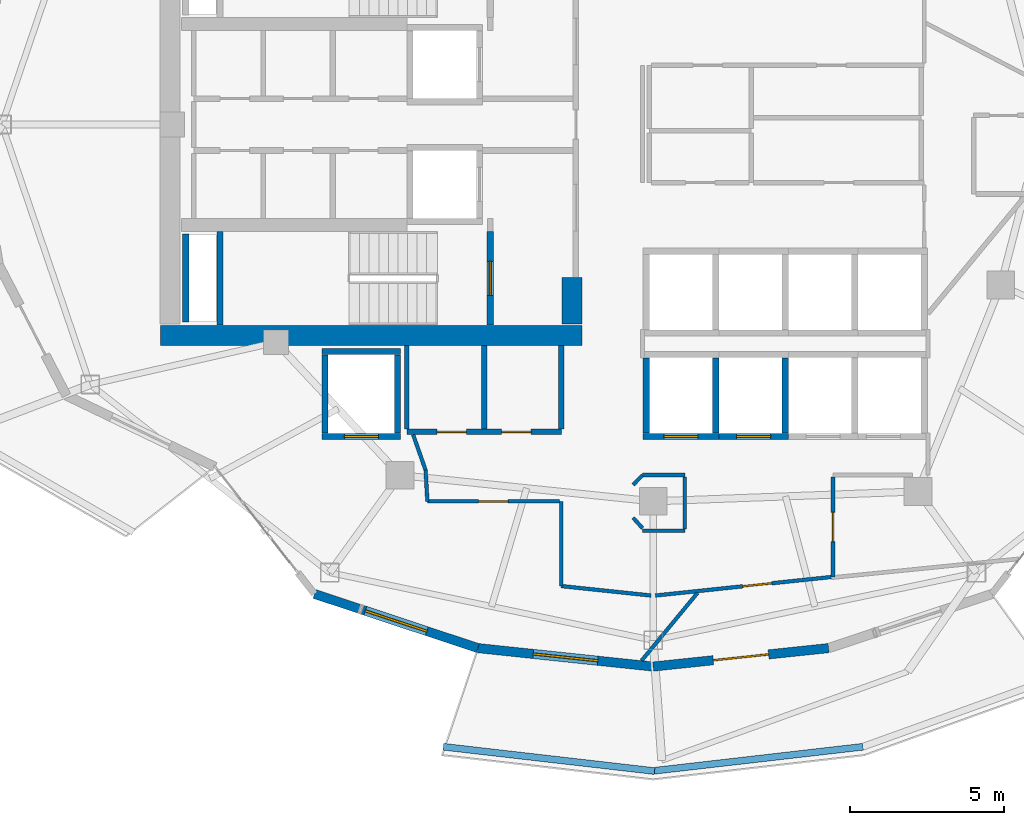
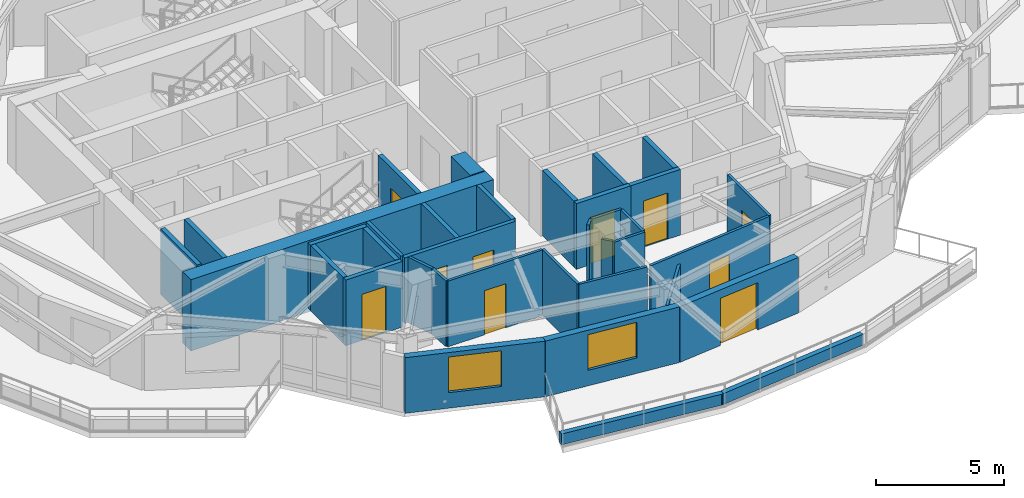
# One storey, part 8 of 19: 36 walls, 10 doors, 2 windows, 12 openings.
"""IFC4 building model written with IfcOpenShell, lengths in metres."""

from ifc_helpers import new_model, si_unit, direction, frame, frame_2d, origin, place, context, subcontext, project, spatial, rectangle, extrude, material, layer, layer_set, type_object, element, fill, save


model = new_model("IFC4")

# Units and contexts
model_context = context("Model", 3, precision=1e-05, world=origin(), true_north=direction((0.0, 1.0)))
body_context = subcontext(model_context, "Body", "Model", "MODEL_VIEW")
ifc_project = project(units=[si_unit("LENGTHUNIT", "METRE"), si_unit("AREAUNIT", "SQUARE_METRE"), si_unit("VOLUMEUNIT", "CUBIC_METRE"), si_unit("PLANEANGLEUNIT", "RADIAN"), si_unit("MASSUNIT", "GRAM", prefix="KILO")], contexts=[model_context])

# Site, building, storey
site_placement = place(None, origin())
site = spatial("IfcSite", under=ifc_project, at=site_placement, CompositionType="ELEMENT")
building_placement = place(site_placement, origin())
building = spatial("IfcBuilding", under=site, at=building_placement, Name="Kolvaren Gate Tower and Convention Centre", CompositionType="ELEMENT")
storey_placement = place(building_placement, frame((0.0, 0.0, 169.89990234375)))
storey = spatial("IfcBuildingStorey", under=building, at=storey_placement, Name="L44", CompositionType="ELEMENT", Elevation=169.89990234375)

# Wall, openings, doors
ifc_material_1 = material(Name="Autoclaved Aerated Masonry Blockwork Class 4 (4.0 MPa)", Category="masonry")
ifc_layer_1 = layer(ifc_material_1, 0.179931640625)
ifc_layer_set_1 = layer_set([ifc_layer_1], Name="Autoclaved Aerated Masonry Blockwork Class 4 (4.0 MPa)")
wall_type_1 = type_object("IfcWallType", Name="ARCH-WL-COMP-180", PredefinedType="SOLIDWALL", material=ifc_layer_set_1)
wall_1_placement = place(storey_placement, frame((22.14990234375, 17.050048828125, 0.0), z_axis=(0.0, 0.0, 1.0), x_axis=(1.0, 0.0, 0.0)))
wall_1 = element("IfcWall", 1, at=wall_1_placement, inside=storey, type_object=wall_type_1, Name="Interior Partition WL-L44-INT-011", PredefinedType="SOLIDWALL", context=body_context, shape_type="SweptSolid", body=[
    extrude(rectangle(XDim=5.0, YDim=0.179931640625, at=frame_2d((2.5, 0.0))), origin(), (0.0, 0.0, 1.0), 3.130126953125),
])
opening_1_placement = place(wall_1_placement, frame((0.97998046875, 0.0, 0.0)))
opening_1 = element("IfcOpeningElement", 2, at=opening_1_placement, cuts=wall_1, Name="Opening DR-01", PredefinedType="OPENING", context=body_context, shape_type="SweptSolid", body=[
    extrude(rectangle(XDim=0.949951171875, YDim=2.10009765625, at=frame_2d((0.47509765625, 1.050048828125))), frame((0.0, 0.099853515625, 0.0), z_axis=(0.0, -1.0, 0.0), x_axis=(1.0, 0.0, 0.0)), (0.0, 0.0, 1.0), 0.199951171875),
])
opening_2_placement = place(wall_1_placement, frame((3.070068359375, 0.0, 0.0)))
opening_2 = element("IfcOpeningElement", 3, at=opening_2_placement, cuts=wall_1, Name="Opening DR-01", PredefinedType="OPENING", context=body_context, shape_type="SweptSolid", body=[
    extrude(rectangle(XDim=0.949951171875, YDim=2.10009765625, at=frame_2d((0.47509765625, 1.050048828125))), frame((0.0, 0.099853515625, 0.0), z_axis=(0.0, -1.0, 0.0), x_axis=(1.0, 0.0, 0.0)), (0.0, 0.0, 1.0), 0.199951171875),
])
ifc_material_2 = material(Name="Painted Architectural Steelwork ASTM A500 Grade C 345 MPa", Category="steel")
door_type_1 = type_object("IfcDoorType", Name="ARCH-DR-RISER-950", OperationType="SINGLE_SWING_RIGHT", PredefinedType="DOOR", material=ifc_material_2)
door_1_placement = place(opening_1_placement, origin())
door_1 = element("IfcDoor", 4, at=door_1_placement, inside=storey, type_object=door_type_1, Name="West Valet Store Door", OperationType="SINGLE_SWING_RIGHT", OverallHeight=2.10009765625, OverallWidth=0.949951171875, PredefinedType="DOOR", context=body_context, shape_type="SweptSolid", body=[
    extrude(rectangle(XDim=0.949951171875, YDim=2.10009765625, at=frame_2d((0.47509765625, 1.050048828125))), frame((0.0, 0.02490234375, 0.0), z_axis=(0.0, -1.0, 0.0), x_axis=(1.0, 0.0, 0.0)), (0.0, 0.0, 1.0), 0.050048828125),
])
fill(opening_1, door_1)
door_2_placement = place(opening_2_placement, origin())
door_2 = element("IfcDoor", 5, at=door_2_placement, inside=storey, type_object=door_type_1, Name="Metering Switch Room Door", OperationType="SINGLE_SWING_LEFT", OverallHeight=2.10009765625, OverallWidth=0.949951171875, PredefinedType="DOOR", context=body_context, shape_type="SweptSolid", body=[
    extrude(rectangle(XDim=0.949951171875, YDim=2.10009765625, at=frame_2d((0.47509765625, 1.050048828125))), frame((0.0, 0.02490234375, 0.0), z_axis=(0.0, -1.0, 0.0), x_axis=(1.0, 0.0, 0.0)), (0.0, 0.0, 1.0), 0.050048828125),
])
fill(opening_2, door_2)

# Walls
for number, where, z_axis, x_axis, name in (
    (6, (24.64990234375, 17.14208984375, 0.0), (0.0, 0.0, 1.0), (0.0, 1.0, 0.0), "Interior Partition WL-L44-INT-013"),
    (7, (27.14990234375, 17.14208984375, 0.0), (0.0, 0.0, 1.0), (0.0, 1.0, 0.0), "Interior Partition WL-L44-INT-015"),
):
    element("IfcWall", number, at=place(storey_placement, frame(where, z_axis=z_axis, x_axis=x_axis)), inside=storey, type_object=wall_type_1, Name=name, PredefinedType="SOLIDWALL", context=body_context, shape_type="SweptSolid", body=[
        extrude(rectangle(XDim=2.705810546875, YDim=0.179931640625, at=frame_2d((1.35302734375, 0.0))), origin(), (0.0, 0.0, 1.0), 3.130126953125),
    ])
ifc_material_3 = material(Name="Fire-Rated Acoustic Gypsum Stud Partition", Category="gypsum")
ifc_layer_2 = layer(ifc_material_3, 0.1201171875)
ifc_layer_set_2 = layer_set([ifc_layer_2], Name="Fire-Rated Acoustic Gypsum Stud Partition")
wall_type_2 = type_object("IfcWallType", Name="ARCH-WL-PART-120", PredefinedType="PARTITIONING", material=ifc_layer_set_2)
wall_2_placement = place(storey_placement, frame((27.14990234375, 12.055908203125, 0.0), z_axis=(0.0, 0.0, 1.0), x_axis=(0.0, 1.0, 0.0)))
element("IfcWall", 8, at=wall_2_placement, inside=storey, type_object=wall_type_2, Name="Interior Partition WL-L44-INT-014", PredefinedType="PARTITIONING", context=body_context, shape_type="SweptSolid", body=[
    extrude(rectangle(XDim=2.744140625, YDim=0.1201171875, at=frame_2d((1.3720703125, 0.0))), origin(), (0.0, 0.0, 1.0), 3.130126953125),
])
wall_3_placement = place(storey_placement, frame((29.780029296875, 15.64990234375, 0.0), z_axis=(0.0, 0.0, 1.0), x_axis=(1.0, 0.0, 0.0)))
element("IfcWall", 9, at=wall_3_placement, inside=storey, type_object=wall_type_2, Name="Interior Partition WL-L44-INT-029", PredefinedType="PARTITIONING", context=body_context, shape_type="SweptSolid", body=[
    extrude(rectangle(XDim=1.369873046875, YDim=0.1201171875, at=frame_2d((0.68505859375, 0.0))), origin(), (0.0, 0.0, 1.0), 3.130126953125),
])

# Wall, opening, door
wall_4_placement = place(storey_placement, frame((35.949951171875, 12.345947265625, 0.0), z_axis=(0.0, 0.0, 1.0), x_axis=(0.0, 1.0, 0.0)))
wall_4 = element("IfcWall", 10, at=wall_4_placement, inside=storey, type_object=wall_type_2, Name="Interior Partition WL-L44-INT-031", PredefinedType="PARTITIONING", context=body_context, shape_type="SweptSolid", body=[
    extrude(rectangle(XDim=3.241943359375, YDim=0.1201171875, at=frame_2d((1.62109375, 0.0))), origin(), (0.0, 0.0, 1.0), 3.130126953125),
])
opening_3_placement = place(wall_4_placement, frame((1.14599609375, 0.0, 0.0)))
opening_3 = element("IfcOpeningElement", 11, at=opening_3_placement, cuts=wall_4, Name="Opening DR-01", PredefinedType="OPENING", context=body_context, shape_type="SweptSolid", body=[
    extrude(rectangle(XDim=0.949951171875, YDim=2.10009765625, at=frame_2d((0.47509765625, 1.050048828125))), frame((0.0, 0.070068359375, 0.0), z_axis=(0.0, -1.0, 0.0), x_axis=(1.0, 0.0, 0.0)), (0.0, 0.0, 1.0), 0.14013671875),
])
door_3_placement = place(opening_3_placement, origin())
door_3 = element("IfcDoor", 12, at=door_3_placement, inside=storey, type_object=door_type_1, Name="Hotel Executive Business Office Door", OperationType="SINGLE_SWING_LEFT", OverallHeight=2.10009765625, OverallWidth=0.949951171875, PredefinedType="DOOR", context=body_context, shape_type="SweptSolid", body=[
    extrude(rectangle(XDim=0.949951171875, YDim=2.10009765625, at=frame_2d((0.47509765625, 1.050048828125))), frame((0.0, 0.02490234375, 0.0), z_axis=(0.0, -1.0, 0.0), x_axis=(1.0, 0.0, 0.0)), (0.0, 0.0, 1.0), 0.050048828125),
])
fill(opening_3, door_3)

wall_5_placement = place(storey_placement, frame((30.195068359375, 11.75, 0.0), z_axis=(0.0, 0.0, 1.0), x_axis=(0.994498907508, 0.104746947287, 0.0)))
wall_5 = element("IfcWall", 13, at=wall_5_placement, inside=storey, type_object=wall_type_2, Name="Interior Partition WL-L44-INT-032", PredefinedType="PARTITIONING", context=body_context, shape_type="SweptSolid", body=[
    extrude(rectangle(XDim=5.724365234375, YDim=0.1201171875, at=frame_2d((2.8623046875, 0.0))), origin(), (0.0, 0.0, 1.0), 3.130126953125),
])
opening_4_placement = place(wall_5_placement, frame((2.843994140625, 0.0, 0.0)))
opening_4 = element("IfcOpeningElement", 14, at=opening_4_placement, cuts=wall_5, Name="Opening DR-01", PredefinedType="OPENING", context=body_context, shape_type="SweptSolid", body=[
    extrude(rectangle(XDim=0.949951171875, YDim=2.10009765625, at=frame_2d((0.47509765625, 1.050048828125))), frame((0.0, 0.070068359375, 0.0), z_axis=(0.0, -1.0, 0.0), x_axis=(1.0, 0.0, 0.0)), (0.0, 0.0, 1.0), 0.14013671875),
])
door_4_placement = place(opening_4_placement, origin())
door_4 = element("IfcDoor", 15, at=door_4_placement, inside=storey, type_object=door_type_1, Name="Hotel Executive Business Office Door", OperationType="SINGLE_SWING_RIGHT", OverallHeight=2.10009765625, OverallWidth=0.949951171875, PredefinedType="DOOR", context=body_context, shape_type="SweptSolid", body=[
    extrude(rectangle(XDim=0.949951171875, YDim=2.10009765625, at=frame_2d((0.47509765625, 1.050048828125))), frame((0.0, 0.02490234375, 0.0), z_axis=(0.0, -1.0, 0.0), x_axis=(1.0, 0.0, 0.0)), (0.0, 0.0, 1.0), 0.050048828125),
])
fill(opening_4, door_4)

# Wall
wall_6_placement = place(storey_placement, frame((27.14990234375, 12.055908203125, 0.0), z_axis=(0.0, 0.0, 1.0), x_axis=(0.994501330468, -0.104723940422, 0.0)))
element("IfcWall", 16, at=wall_6_placement, inside=storey, type_object=wall_type_2, Name="Interior Partition WL-L44-INT-033", PredefinedType="PARTITIONING", context=body_context, shape_type="SweptSolid", body=[
    extrude(rectangle(XDim=2.921142578125, YDim=0.1201171875, at=frame_2d((1.46044921875, 0.0))), origin(), (0.0, 0.0, 1.0), 3.130126953125),
])

# Wall, opening, door
wall_7_placement = place(storey_placement, frame((22.81396484375, 14.800048828125, 0.0), z_axis=(0.0, 0.0, 1.0), x_axis=(1.0, 0.0, 0.0)))
wall_7 = element("IfcWall", 17, at=wall_7_placement, inside=storey, type_object=wall_type_2, Name="Interior Partition WL-L44-INT-034", PredefinedType="PARTITIONING", context=body_context, shape_type="SweptSolid", body=[
    extrude(rectangle(XDim=4.27392578125, YDim=0.1201171875, at=frame_2d((2.136962890625, 0.0))), origin(), (0.0, 0.0, 1.0), 3.130126953125),
])
opening_5_placement = place(wall_7_placement, frame((1.662109375, 0.0, 0.0)))
opening_5 = element("IfcOpeningElement", 18, at=opening_5_placement, cuts=wall_7, Name="Opening DR-01", PredefinedType="OPENING", context=body_context, shape_type="SweptSolid", body=[
    extrude(rectangle(XDim=0.949951171875, YDim=2.10009765625, at=frame_2d((0.47509765625, 1.050048828125))), frame((0.0, 0.070068359375, 0.0), z_axis=(0.0, -1.0, 0.0), x_axis=(1.0, 0.0, 0.0)), (0.0, 0.0, 1.0), 0.14013671875),
])
door_5_placement = place(opening_5_placement, origin())
door_5 = element("IfcDoor", 19, at=door_5_placement, inside=storey, type_object=door_type_1, Name="Luxury Retail Boutique Door", OperationType="SINGLE_SWING_LEFT", OverallHeight=2.10009765625, OverallWidth=0.949951171875, PredefinedType="DOOR", context=body_context, shape_type="SweptSolid", body=[
    extrude(rectangle(XDim=0.949951171875, YDim=2.10009765625, at=frame_2d((0.47509765625, 1.050048828125))), frame((0.0, 0.02490234375, 0.0), z_axis=(0.0, -1.0, 0.0), x_axis=(1.0, 0.0, 0.0)), (0.0, 0.0, 1.0), 0.050048828125),
])
fill(opening_5, door_5)

# Walls
wall_8_placement = place(storey_placement, frame((22.756103515625, 15.81103515625, 0.0), z_axis=(0.0, 0.0, 1.0), x_axis=(0.057139047697, -0.998366230012, 0.0)))
element("IfcWall", 20, at=wall_8_placement, inside=storey, type_object=wall_type_2, Name="Interior Partition WL-L44-INT-035", PredefinedType="PARTITIONING", context=body_context, shape_type="SweptSolid", body=[
    extrude(rectangle(XDim=1.0126953125, YDim=0.1201171875, at=frame_2d((0.50634765625, 0.0))), origin(), (0.0, 0.0, 1.0), 3.130126953125),
])
wall_9_placement = place(storey_placement, frame((22.353271484375, 16.9580078125, 0.0), z_axis=(0.0, 0.0, 1.0), x_axis=(0.331370038458, -0.943500873138, 0.0)))
element("IfcWall", 21, at=wall_9_placement, inside=storey, type_object=wall_type_2, Name="Interior Partition WL-L44-INT-036", PredefinedType="PARTITIONING", context=body_context, shape_type="SweptSolid", body=[
    extrude(rectangle(XDim=1.215576171875, YDim=0.1201171875, at=frame_2d((0.60791015625, 0.0))), origin(), (0.0, 0.0, 1.0), 3.130126953125),
])
wall_10_placement = place(storey_placement, frame((29.47607421875, 15.3330078125, 0.0), z_axis=(0.0, 0.0, 1.0), x_axis=(0.692219273951, 0.721687243043, 0.0)))
element("IfcWall", 22, at=wall_10_placement, inside=storey, type_object=wall_type_2, Name="Interior Partition WL-L44-INT-050", PredefinedType="PARTITIONING", context=body_context, shape_type="SweptSolid", body=[
    extrude(rectangle(XDim=0.439208984375, YDim=0.1201171875, at=frame_2d((0.2197265625, 0.0))), origin(), (0.0, 0.0, 1.0), 3.130126953125),
])
wall_11_placement = place(storey_placement, frame((29.47607421875, 14.26708984375, 0.0), z_axis=(0.0, 0.0, 1.0), x_axis=(0.670659392016, -0.741765448037, 0.0)))
element("IfcWall", 23, at=wall_11_placement, inside=storey, type_object=wall_type_2, Name="Interior Partition WL-L44-INT-051", PredefinedType="PARTITIONING", context=body_context, shape_type="SweptSolid", body=[
    extrude(rectangle(XDim=0.453125, YDim=0.1201171875, at=frame_2d((0.2265625, 0.0))), origin(), (0.0, 0.0, 1.0), 3.130126953125),
])
wall_12_placement = place(storey_placement, frame((29.780029296875, 13.85009765625, 0.0), z_axis=(0.0, 0.0, 1.0), x_axis=(1.0, 0.0, 0.0)))
element("IfcWall", 24, at=wall_12_placement, inside=storey, type_object=wall_type_2, Name="Interior Partition WL-L44-INT-052", PredefinedType="PARTITIONING", context=body_context, shape_type="SweptSolid", body=[
    extrude(rectangle(XDim=1.369873046875, YDim=0.1201171875, at=frame_2d((0.68505859375, 0.0))), origin(), (0.0, 0.0, 1.0), 3.130126953125),
])
wall_13_placement = place(storey_placement, frame((31.14990234375, 13.912109375, 0.0), z_axis=(0.0, 0.0, 1.0), x_axis=(0.0, 1.0, 0.0)))
element("IfcWall", 25, at=wall_13_placement, inside=storey, type_object=wall_type_2, Name="Interior Partition WL-L44-INT-053", PredefinedType="PARTITIONING", context=body_context, shape_type="SweptSolid", body=[
    extrude(rectangle(XDim=1.67578125, YDim=0.1201171875, at=frame_2d((0.837890625, 0.0))), origin(), (0.0, 0.0, 1.0), 3.130126953125),
])
wall_14_placement = place(storey_placement, frame((29.749755859375, 9.642333984375, 0.0), z_axis=(0.0, 0.0, 1.0), x_axis=(0.636683591353, 0.771125154888, 0.0)))
element("IfcWall", 26, at=wall_14_placement, inside=storey, type_object=wall_type_2, Name="Interior Partition WL-L44-INT-056", PredefinedType="PARTITIONING", context=body_context, shape_type="SweptSolid", body=[
    extrude(rectangle(XDim=2.83837890625, YDim=0.1201171875, at=frame_2d((1.419189453125, 0.0))), origin(), (0.0, 0.0, 1.0), 2.653076171875),
])
ifc_material_4 = material(Name="Piedmont Cream Honed Limestone Cladding", Category="masonry")
ifc_layer_3 = layer(ifc_material_4, 0.219970703125)
ifc_layer_set_3 = layer_set([ifc_layer_3], Name="Piedmont Cream Honed Limestone Cladding")
wall_type_3 = type_object("IfcWallType", Name="ARCH-WL-PLANTER-220", PredefinedType="PARAPET", material=ifc_layer_set_3)
for number, where, z_axis, x_axis, name in (
    (27, (23.330078125, 6.853759765625, 0.0), (0.0, 0.0, 1.0), (0.993440576506, -0.114349555972, 0.0), "Vertical-Forest Balcony Stone Planter Kerb PK-L44-3.1"),
    (28, (30.07958984375, 6.06640625, 0.0), (0.0, 0.0, 1.0), (0.993440576506, 0.114349555972, 0.0), "Vertical-Forest Balcony Stone Planter Kerb PK-L44-3.2"),
):
    element("IfcWall", number, at=place(storey_placement, frame(where, z_axis=z_axis, x_axis=x_axis)), inside=storey, type_object=wall_type_3, Name=name, PredefinedType="PARAPET", context=body_context, shape_type="SweptSolid", body=[
        extrude(rectangle(XDim=6.885498046875, YDim=0.219970703125, at=frame_2d((3.44287109375, 0.0))), origin(), (0.0, 0.0, 1.0), 0.52001953125),
    ])
ifc_layer_4 = layer(ifc_material_1, 0.199951171875)
ifc_layer_set_4 = layer_set([ifc_layer_4], Name="Autoclaved Aerated Masonry Blockwork Class 4 (4.0 MPa)")
wall_type_4 = type_object("IfcWallType", Name="ARCH-WL-SHAFT-200", PredefinedType="SOLIDWALL", material=ifc_layer_set_4)
wall_15_placement = place(storey_placement, frame((19.39990234375, 19.64990234375, 0.0), z_axis=(0.0, 0.0, 1.0), x_axis=(1.0, 0.0, 0.0)))
element("IfcWall", 29, at=wall_15_placement, inside=storey, type_object=wall_type_4, Name="Elevator SV-01 L44 Fire Shaft Wall N", PredefinedType="SOLIDWALL", context=body_context, shape_type="SweptSolid", body=[
    extrude(rectangle(XDim=2.550048828125, YDim=0.199951171875, at=frame_2d((1.27490234375, 0.0))), origin(), (0.0, 0.0, 1.0), 3.130126953125),
])

# Wall, opening, door
wall_16_placement = place(storey_placement, frame((19.39990234375, 16.89990234375, 0.0), z_axis=(0.0, 0.0, 1.0), x_axis=(1.0, 0.0, 0.0)))
wall_16 = element("IfcWall", 30, at=wall_16_placement, inside=storey, type_object=wall_type_4, Name="Elevator SV-01 L44 Fire Shaft Wall S", PredefinedType="SOLIDWALL", context=body_context, shape_type="SweptSolid", body=[
    extrude(rectangle(XDim=2.550048828125, YDim=0.199951171875, at=frame_2d((1.27490234375, 0.0))), origin(), (0.0, 0.0, 1.0), 3.130126953125),
])
opening_6_placement = place(wall_16_placement, frame((0.72509765625, 0.0, 0.0)))
opening_6 = element("IfcOpeningElement", 31, at=opening_6_placement, cuts=wall_16, Name="Opening LD", PredefinedType="OPENING", context=body_context, shape_type="SweptSolid", body=[
    extrude(rectangle(XDim=1.10009765625, YDim=2.199951171875, at=frame_2d((0.550048828125, 1.10009765625))), frame((0.0, 0.10986328125, 0.0), z_axis=(0.0, -1.0, 0.0), x_axis=(1.0, 0.0, 0.0)), (0.0, 0.0, 1.0), 0.219970703125),
])
ifc_material_5 = material(Name="Brushed Stainless Steel Grade 316L", Category="steel")
door_type_2 = type_object("IfcDoorType", Name="ARCH-DR-LIFT-1100", OperationType="SLIDING_TO_LEFT", PredefinedType="DOOR", material=ifc_material_5)
door_6_placement = place(opening_6_placement, origin())
door_6 = element("IfcDoor", 32, at=door_6_placement, inside=storey, type_object=door_type_2, Name="Elevator SV-01 L44 Sliding Landing Door", OperationType="SLIDING_TO_LEFT", OverallHeight=2.199951171875, OverallWidth=1.10009765625, PredefinedType="DOOR", context=body_context, shape_type="SweptSolid", body=[
    extrude(rectangle(XDim=1.10009765625, YDim=2.199951171875, at=frame_2d((0.550048828125, 1.10009765625))), frame((0.0, 0.02490234375, 0.0), z_axis=(0.0, -1.0, 0.0), x_axis=(1.0, 0.0, 0.0)), (0.0, 0.0, 1.0), 0.050048828125),
])
fill(opening_6, door_6)

# Walls
for number, where, z_axis, x_axis, name in (
    (33, (19.5, 17.010009765625, 0.0), (0.0, 0.0, 1.0), (0.0, 1.0, 0.0), "Elevator SV-01 L44 Fire Shaft Wall W"),
    (34, (21.85009765625, 17.010009765625, 0.0), (0.0, 0.0, 1.0), (0.0, 1.0, 0.0), "Elevator SV-01 L44 Fire Shaft Wall E"),
):
    element("IfcWall", number, at=place(storey_placement, frame(where, z_axis=z_axis, x_axis=x_axis)), inside=storey, type_object=wall_type_4, Name=name, PredefinedType="SOLIDWALL", context=body_context, shape_type="SweptSolid", body=[
        extrude(rectangle(XDim=2.530029296875, YDim=0.199951171875, at=frame_2d((1.26513671875, 0.0))), origin(), (0.0, 0.0, 1.0), 3.130126953125),
    ])

# Wall, opening, door
wall_17_placement = place(storey_placement, frame((29.800048828125, 16.89990234375, 0.0), z_axis=(0.0, 0.0, 1.0), x_axis=(1.0, 0.0, 0.0)))
wall_17 = element("IfcWall", 35, at=wall_17_placement, inside=storey, type_object=wall_type_4, Name="Elevator PL-05 L44 Fire Shaft Wall S", PredefinedType="SOLIDWALL", context=body_context, shape_type="SweptSolid", body=[
    extrude(rectangle(XDim=2.449951171875, YDim=0.199951171875, at=frame_2d((1.22509765625, 0.0))), origin(), (0.0, 0.0, 1.0), 3.130126953125),
])
opening_7_placement = place(wall_17_placement, frame((0.675048828125, 0.0, 0.0)))
opening_7 = element("IfcOpeningElement", 36, at=opening_7_placement, cuts=wall_17, Name="Opening LD", PredefinedType="OPENING", context=body_context, shape_type="SweptSolid", body=[
    extrude(rectangle(XDim=1.10009765625, YDim=2.199951171875, at=frame_2d((0.550048828125, 1.10009765625))), frame((0.0, 0.10986328125, 0.0), z_axis=(0.0, -1.0, 0.0), x_axis=(1.0, 0.0, 0.0)), (0.0, 0.0, 1.0), 0.219970703125),
])
door_7_placement = place(opening_7_placement, origin())
door_7 = element("IfcDoor", 37, at=door_7_placement, inside=storey, type_object=door_type_2, Name="Elevator PL-05 L44 Sliding Landing Door", OperationType="SLIDING_TO_LEFT", OverallHeight=2.199951171875, OverallWidth=1.10009765625, PredefinedType="DOOR", context=body_context, shape_type="SweptSolid", body=[
    extrude(rectangle(XDim=1.10009765625, YDim=2.199951171875, at=frame_2d((0.550048828125, 1.10009765625))), frame((0.0, 0.02490234375, 0.0), z_axis=(0.0, -1.0, 0.0), x_axis=(1.0, 0.0, 0.0)), (0.0, 0.0, 1.0), 0.050048828125),
])
fill(opening_7, door_7)

# Walls
for number, where, z_axis, x_axis, name in (
    (38, (29.89990234375, 17.010009765625, 0.0), (0.0, 0.0, 1.0), (0.0, 1.0, 0.0), "Elevator PL-05 L44 Fire Shaft Wall W"),
    (39, (32.14990234375, 17.010009765625, 0.0), (0.0, 0.0, 1.0), (0.0, 1.0, 0.0), "Elevator PL-05 L44 Fire Shaft Wall E"),
):
    element("IfcWall", number, at=place(storey_placement, frame(where, z_axis=z_axis, x_axis=x_axis)), inside=storey, type_object=wall_type_4, Name=name, PredefinedType="SOLIDWALL", context=body_context, shape_type="SweptSolid", body=[
        extrude(rectangle(XDim=2.429931640625, YDim=0.199951171875, at=frame_2d((1.21484375, 0.0))), origin(), (0.0, 0.0, 1.0), 3.130126953125),
    ])

# Wall, opening, door
wall_18_placement = place(storey_placement, frame((32.25, 16.89990234375, 0.0), z_axis=(0.0, 0.0, 1.0), x_axis=(1.0, 0.0, 0.0)))
wall_18 = element("IfcWall", 40, at=wall_18_placement, inside=storey, type_object=wall_type_4, Name="Elevator PL-06 L44 Fire Shaft Wall S", PredefinedType="SOLIDWALL", context=body_context, shape_type="SweptSolid", body=[
    extrude(rectangle(XDim=2.25, YDim=0.199951171875, at=frame_2d((1.125, 0.0))), origin(), (0.0, 0.0, 1.0), 3.130126953125),
])
opening_8_placement = place(wall_18_placement, frame((0.574951171875, 0.0, 0.0)))
opening_8 = element("IfcOpeningElement", 41, at=opening_8_placement, cuts=wall_18, Name="Opening LD", PredefinedType="OPENING", context=body_context, shape_type="SweptSolid", body=[
    extrude(rectangle(XDim=1.10009765625, YDim=2.199951171875, at=frame_2d((0.550048828125, 1.10009765625))), frame((0.0, 0.10986328125, 0.0), z_axis=(0.0, -1.0, 0.0), x_axis=(1.0, 0.0, 0.0)), (0.0, 0.0, 1.0), 0.219970703125),
])
door_8_placement = place(opening_8_placement, origin())
door_8 = element("IfcDoor", 42, at=door_8_placement, inside=storey, type_object=door_type_2, Name="Elevator PL-06 L44 Sliding Landing Door", OperationType="SLIDING_TO_LEFT", OverallHeight=2.199951171875, OverallWidth=1.10009765625, PredefinedType="DOOR", context=body_context, shape_type="SweptSolid", body=[
    extrude(rectangle(XDim=1.10009765625, YDim=2.199951171875, at=frame_2d((0.550048828125, 1.10009765625))), frame((0.0, 0.02490234375, 0.0), z_axis=(0.0, -1.0, 0.0), x_axis=(1.0, 0.0, 0.0)), (0.0, 0.0, 1.0), 0.050048828125),
])
fill(opening_8, door_8)

# Walls
wall_19_placement = place(storey_placement, frame((34.39990234375, 17.010009765625, 0.0), z_axis=(0.0, 0.0, 1.0), x_axis=(0.0, 1.0, 0.0)))
element("IfcWall", 43, at=wall_19_placement, inside=storey, type_object=wall_type_4, Name="Elevator PL-06 L44 Fire Shaft Wall E", PredefinedType="SOLIDWALL", context=body_context, shape_type="SweptSolid", body=[
    extrude(rectangle(XDim=2.429931640625, YDim=0.199951171875, at=frame_2d((1.21484375, 0.0))), origin(), (0.0, 0.0, 1.0), 3.130126953125),
])
wall_20_placement = place(storey_placement, frame((14.989990234375, 20.60009765625, 0.0), z_axis=(0.0, 0.0, 1.0), x_axis=(0.0, 1.0, 0.0)))
element("IfcWall", 44, at=wall_20_placement, inside=storey, type_object=wall_type_4, Name="Vertical Shaft MPR L44 EI-120 Enclosure Wall W", PredefinedType="SOLIDWALL", context=body_context, shape_type="SweptSolid", body=[
    extrude(rectangle(XDim=2.849853515625, YDim=0.199951171875, at=frame_2d((1.4248046875, 0.0))), origin(), (0.0, 0.0, 1.0), 3.130126953125),
])

# Wall, opening, window
ifc_layer_5 = layer(ifc_material_4, 0.300048828125)
ifc_layer_set_5 = layer_set([ifc_layer_5], Name="Piedmont Cream Honed Limestone Cladding")
wall_type_5 = type_object("IfcWallType", Name="ARCH-WL-STONE-300", PredefinedType="SOLIDWALL", material=ifc_layer_set_5)
wall_21_placement = place(storey_placement, frame((19.15625, 11.80126953125, 0.0), z_axis=(0.0, 0.0, 1.0), x_axis=(0.949246811547, -0.314532177636, 0.0)))
wall_21 = element("IfcWall", 45, at=wall_21_placement, inside=storey, type_object=wall_type_5, Name="Tower L44 Honed Stone Spandrel Wall EW-16", PredefinedType="SOLIDWALL", context=body_context, shape_type="SweptSolid", body=[
    extrude(rectangle(XDim=5.573974609375, YDim=0.300048828125, at=frame_2d((2.787109375, 0.0))), origin(), (0.0, 0.0, 1.0), 2.653076171875),
])
opening_9_placement = place(wall_21_placement, frame((1.737060546875, 0.0, 0.739990234375)))
opening_9 = element("IfcOpeningElement", 46, at=opening_9_placement, cuts=wall_21, Name="Opening W-02", PredefinedType="OPENING", context=body_context, shape_type="SweptSolid", body=[
    extrude(rectangle(XDim=2.10009765625, YDim=1.699951171875, at=frame_2d((1.050048828125, 0.85009765625))), frame((0.0, 0.159912109375, 0.0), z_axis=(0.0, -1.0, 0.0), x_axis=(1.0, 0.0, 0.0)), (0.0, 0.0, 1.0), 0.320068359375),
])
ifc_material_6 = material(Name="Low-E Triple Insulated Glazing Unit 44 mm", Category="glass")
window_type = type_object("IfcWindowType", Name="ARCH-WN-HTL-2100", PartitioningType="SINGLE_PANEL", PredefinedType="WINDOW", material=ifc_material_6)
window_1_placement = place(opening_9_placement, origin())
window_1 = element("IfcWindow", 47, at=window_1_placement, inside=storey, type_object=window_type, Name="Tower L44 Punched Stone Facade Window W-16", OverallHeight=1.699951171875, OverallWidth=2.10009765625, PartitioningType="SINGLE_PANEL", PredefinedType="WINDOW", context=body_context, shape_type="SweptSolid", body=[
    extrude(rectangle(XDim=2.10009765625, YDim=1.699951171875, at=frame_2d((1.050048828125, 0.85009765625))), frame((0.0, 0.030029296875, 0.0), z_axis=(0.0, -1.0, 0.0), x_axis=(1.0, 0.0, 0.0)), (0.0, 0.0, 1.0), 0.06005859375),
])
fill(opening_9, window_1)

wall_22_placement = place(storey_placement, frame((24.447265625, 10.048095703125, 0.0), z_axis=(0.0, 0.0, 1.0), x_axis=(0.994496545245, -0.104769372887, 0.0)))
wall_22 = element("IfcWall", 48, at=wall_22_placement, inside=storey, type_object=wall_type_5, Name="Tower L44 Honed Stone Spandrel Wall EW-17", PredefinedType="SOLIDWALL", context=body_context, shape_type="SweptSolid", body=[
    extrude(rectangle(XDim=5.709228515625, YDim=0.300048828125, at=frame_2d((2.8544921875, 0.0))), origin(), (0.0, 0.0, 1.0), 2.653076171875),
])
opening_10_placement = place(wall_22_placement, frame((1.804931640625, 0.0, 0.739990234375)))
opening_10 = element("IfcOpeningElement", 49, at=opening_10_placement, cuts=wall_22, Name="Opening W-02", PredefinedType="OPENING", context=body_context, shape_type="SweptSolid", body=[
    extrude(rectangle(XDim=2.10009765625, YDim=1.699951171875, at=frame_2d((1.050048828125, 0.85009765625))), frame((0.0, 0.159912109375, 0.0), z_axis=(0.0, -1.0, 0.0), x_axis=(1.0, 0.0, 0.0)), (0.0, 0.0, 1.0), 0.320068359375),
])
window_2_placement = place(opening_10_placement, origin())
window_2 = element("IfcWindow", 50, at=window_2_placement, inside=storey, type_object=window_type, Name="Tower L44 Punched Stone Facade Window W-17", OverallHeight=1.699951171875, OverallWidth=2.10009765625, PartitioningType="SINGLE_PANEL", PredefinedType="WINDOW", context=body_context, shape_type="SweptSolid", body=[
    extrude(rectangle(XDim=2.10009765625, YDim=1.699951171875, at=frame_2d((1.050048828125, 0.85009765625))), frame((0.0, 0.030029296875, 0.0), z_axis=(0.0, -1.0, 0.0), x_axis=(1.0, 0.0, 0.0)), (0.0, 0.0, 1.0), 0.06005859375),
])
fill(opening_10, window_2)

# Wall, opening, door
wall_23_placement = place(storey_placement, frame((30.125, 9.449951171875, 0.0), z_axis=(0.0, 0.0, 1.0), x_axis=(0.994496545245, 0.104769372887, 0.0)))
wall_23 = element("IfcWall", 51, at=wall_23_placement, inside=storey, type_object=wall_type_5, Name="Tower L44 Honed Stone Spandrel Wall EW-18", PredefinedType="SOLIDWALL", context=body_context, shape_type="SweptSolid", body=[
    extrude(rectangle(XDim=5.709228515625, YDim=0.300048828125, at=frame_2d((2.8544921875, 0.0))), origin(), (0.0, 0.0, 1.0), 2.653076171875),
])
opening_11_placement = place(wall_23_placement, frame((1.955078125, 0.0, 0.0)))
opening_11 = element("IfcOpeningElement", 52, at=opening_11_placement, cuts=wall_23, Name="Opening DB-01", PredefinedType="OPENING", context=body_context, shape_type="SweptSolid", body=[
    extrude(rectangle(XDim=1.800048828125, YDim=2.25, at=frame_2d((0.89990234375, 1.125))), frame((0.0, 0.159912109375, 0.0), z_axis=(0.0, -1.0, 0.0), x_axis=(1.0, 0.0, 0.0)), (0.0, 0.0, 1.0), 0.320068359375),
])
ifc_material_7 = material(Name="Anodized Architectural Aluminium Alloy 6063-T6", Category="aluminium")
door_type_3 = type_object("IfcDoorType", Name="ARCH-DR-BALC-1800", OperationType="SLIDING_TO_LEFT", PredefinedType="DOOR", material=ifc_material_7)
door_9_placement = place(opening_11_placement, frame((1.800048828125, 0.0, 0.0), z_axis=(0.0, 0.0, 1.0), x_axis=(-1.0, 0.0, 0.0)))
door_9 = element("IfcDoor", 53, at=door_9_placement, inside=storey, type_object=door_type_3, Name="Planted Sky Terrace Access Door DB-L44-18", OperationType="SLIDING_TO_LEFT", OverallHeight=2.25, OverallWidth=1.800048828125, PredefinedType="DOOR", context=body_context, shape_type="SweptSolid", body=[
    extrude(rectangle(XDim=1.800048828125, YDim=2.25, at=frame_2d((0.89990234375, 1.125))), frame((0.0, 0.02490234375, 0.0), z_axis=(0.0, -1.0, 0.0), x_axis=(1.0, 0.0, 0.0)), (0.0, 0.0, 1.0), 0.050048828125),
])
fill(opening_11, door_9)

# Walls
ifc_material_8 = material(Name="Moisture-Resistant Cement-Board Acoustic Partition", Category="gypsum")
ifc_layer_6 = layer(ifc_material_8, 0.14990234375)
ifc_layer_set_6 = layer_set([ifc_layer_6], Name="Moisture-Resistant Cement-Board Acoustic Partition")
wall_type_6 = type_object("IfcWallType", Name="ARCH-WL-WET-150", PredefinedType="PARTITIONING", material=ifc_layer_set_6)
wall_24_placement = place(storey_placement, frame((22.14990234375, 17.14208984375, 0.0), z_axis=(0.0, 0.0, 1.0), x_axis=(0.0, 1.0, 0.0)))
element("IfcWall", 54, at=wall_24_placement, inside=storey, type_object=wall_type_6, Name="Interior Partition WL-L44-INT-012", PredefinedType="PARTITIONING", context=body_context, shape_type="SweptSolid", body=[
    extrude(rectangle(XDim=2.705810546875, YDim=0.14990234375, at=frame_2d((1.35302734375, 0.0))), origin(), (0.0, 0.0, 1.0), 3.130126953125),
])
ifc_material_9 = material(Name="Concrete C60/75", Category="concrete")
ifc_layer_7 = layer(ifc_material_9, 0.64990234375)
ifc_layer_set_7 = layer_set([ifc_layer_7], Name="Concrete C60/75")
wall_type_7 = type_object("IfcWallType", Name="STR-WL-CORE-650", PredefinedType="SHEAR", material=ifc_layer_set_7)
wall_25_placement = place(storey_placement, frame((14.175048828125, 20.175048828125, -0.27001953125), z_axis=(0.0, 0.0, 1.0), x_axis=(1.0, 0.0, 0.0)))
element("IfcWall", 55, at=wall_25_placement, inside=storey, type_object=wall_type_7, Name="Tower L44 Offset Core Shear Wall S", PredefinedType="SHEAR", context=body_context, shape_type="SweptSolid", body=[
    extrude(rectangle(XDim=13.64990234375, YDim=0.64990234375, at=frame_2d((6.824951171875, 0.0))), origin(), (0.0, 0.0, 1.0), 3.400146484375),
])
wall_26_placement = place(storey_placement, frame((27.5, 20.550048828125, -0.27001953125), z_axis=(0.0, 0.0, 1.0), x_axis=(0.0, 1.0, 0.0)))
element("IfcWall", 56, at=wall_26_placement, inside=storey, type_object=wall_type_7, Name="Tower L44 Offset Core Shear Wall ES", PredefinedType="SHEAR", context=body_context, shape_type="SweptSolid", body=[
    extrude(rectangle(XDim=1.5, YDim=0.64990234375, at=frame_2d((0.75, 0.0))), origin(), (0.0, 0.0, 1.0), 3.400146484375),
])

# Wall, opening, door
ifc_material_10 = material(Name="Concrete C50/60", Category="concrete")
ifc_layer_8 = layer(ifc_material_10, 0.199951171875)
ifc_layer_set_8 = layer_set([ifc_layer_8], Name="Concrete C50/60")
wall_type_8 = type_object("IfcWallType", Name="STR-WL-SHAFT-200", PredefinedType="SHEAR", material=ifc_layer_set_8)
wall_27_placement = place(storey_placement, frame((24.85009765625, 20.501953125, -0.27001953125), z_axis=(0.0, 0.0, 1.0), x_axis=(0.0, 1.0, 0.0)))
wall_27 = element("IfcWall", 57, at=wall_27_placement, inside=storey, type_object=wall_type_8, Name="Tower South Exit Stair ST-T2 L44 Structural Shear Enclosure Wall NEAR", PredefinedType="SHEAR", context=body_context, shape_type="SweptSolid", body=[
    extrude(rectangle(XDim=3.0380859375, YDim=0.199951171875, at=frame_2d((1.51904296875, 0.0))), origin(), (0.0, 0.0, 1.0), 3.400146484375),
])
opening_12_placement = place(wall_27_placement, frame((0.968994140625, 0.0, 0.27001953125)))
opening_12 = element("IfcOpeningElement", 58, at=opening_12_placement, cuts=wall_27, Name="Opening DS-01", PredefinedType="OPENING", context=body_context, shape_type="SweptSolid", body=[
    extrude(rectangle(XDim=1.10009765625, YDim=2.14990234375, at=frame_2d((0.550048828125, 1.074951171875))), frame((0.0, 0.10986328125, 0.0), z_axis=(0.0, -1.0, 0.0), x_axis=(1.0, 0.0, 0.0)), (0.0, 0.0, 1.0), 0.219970703125),
])
door_type_4 = type_object("IfcDoorType", Name="ARCH-DR-STAIR-1100", OperationType="SINGLE_SWING_LEFT", PredefinedType="DOOR", material=ifc_material_2)
door_10_placement = place(opening_12_placement, origin())
door_10 = element("IfcDoor", 59, at=door_10_placement, inside=storey, type_object=door_type_4, Name="Tower South Exit Stair ST-T2 L44 Fire Exit Stair Door", OperationType="SINGLE_SWING_RIGHT", OverallHeight=2.14990234375, OverallWidth=1.10009765625, PredefinedType="DOOR", context=body_context, shape_type="SweptSolid", body=[
    extrude(rectangle(XDim=1.10009765625, YDim=2.14990234375, at=frame_2d((0.550048828125, 1.074951171875))), frame((0.0, 0.02490234375, 0.0), z_axis=(0.0, -1.0, 0.0), x_axis=(1.0, 0.0, 0.0)), (0.0, 0.0, 1.0), 0.050048828125),
])
fill(opening_12, door_10)

# Wall
wall_28_placement = place(storey_placement, frame((16.10009765625, 20.501953125, -0.27001953125), z_axis=(0.0, 0.0, 1.0), x_axis=(0.0, 1.0, 0.0)))
element("IfcWall", 60, at=wall_28_placement, inside=storey, type_object=wall_type_8, Name="Tower South Exit Stair ST-T2 L44 Structural Shear Enclosure Wall FAR", PredefinedType="SHEAR", context=body_context, shape_type="SweptSolid", body=[
    extrude(rectangle(XDim=3.0361328125, YDim=0.199951171875, at=frame_2d((1.51806640625, 0.0))), origin(), (0.0, 0.0, 1.0), 3.400146484375),
])

save(model, "model.ifc")
